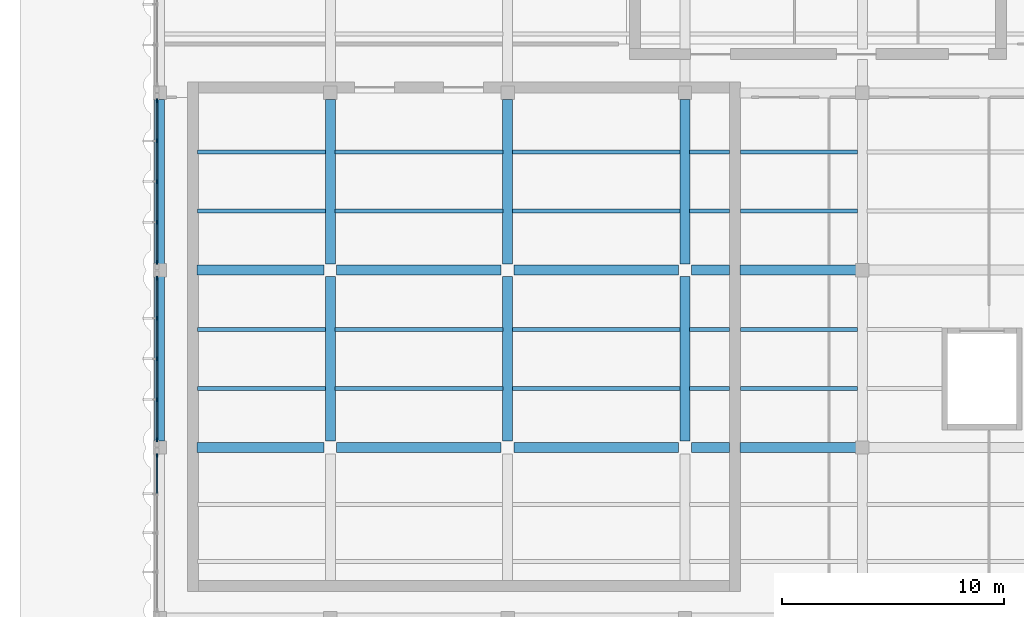
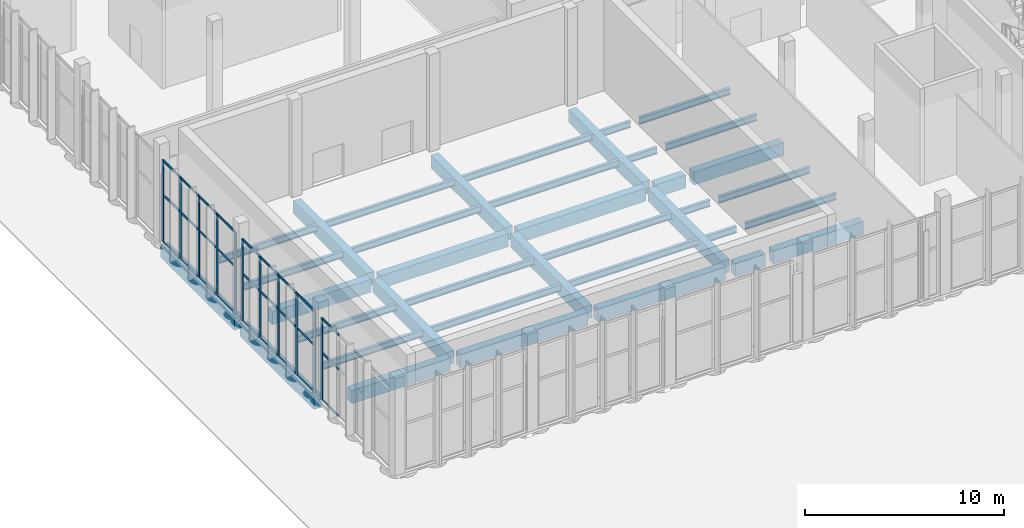
# One storey, part 36 of 155: 38 beams, 38 members, 3 elements without a shape of their own.
"""IFC4 building model written with IfcOpenShell, lengths in metres."""

from ifc_helpers import new_model, si_unit, direction, frame, origin, origin_2d, place, context, subcontext, project, spatial, rectangle, i_section, extrude, material, layer, layer_set, material_profile, profile_set, type_object, element, aggregate, save


model = new_model("IFC4")

# Units and contexts
model_context = context("Model", 3, precision=1e-05, world=origin(), true_north=direction((0.0, 1.0)))
body_context = subcontext(model_context, "Body", "Model", "MODEL_VIEW")
ifc_project = project(units=[si_unit("LENGTHUNIT", "METRE"), si_unit("AREAUNIT", "SQUARE_METRE"), si_unit("VOLUMEUNIT", "CUBIC_METRE"), si_unit("PLANEANGLEUNIT", "RADIAN"), si_unit("MASSUNIT", "GRAM", prefix="KILO")], contexts=[model_context])

# Site, building, storey
site_placement = place(None, origin())
site = spatial("IfcSite", under=ifc_project, at=site_placement, CompositionType="ELEMENT")
building_placement = place(site_placement, origin())
building = spatial("IfcBuilding", under=site, at=building_placement, Name="Lunette Opera House", CompositionType="ELEMENT")
storey_placement = place(building_placement, origin())
storey = spatial("IfcBuildingStorey", under=building, at=storey_placement, Name="L00", CompositionType="ELEMENT", Elevation=0.0)

# Curtain wall, members
ifc_material_1 = material(Name="Aluminium", Category="aluminium")
ifc_layer = layer(ifc_material_1, 0.179931640625)
ifc_layer_set = layer_set([ifc_layer], Name="Aluminium")
curtain_wall_type = type_object("IfcCurtainWallType", Name="SUN FACE CURTAIN WALL", PredefinedType="NOTDEFINED", material=ifc_layer_set)
curtain_wall_1_placement = place(storey_placement, origin())
curtain_wall_1 = element("IfcCurtainWall", 1, at=curtain_wall_1_placement, inside=storey, type_object=curtain_wall_type, Name="Sun Face Curtain Wall F10 L00", PredefinedType="NOTDEFINED")
ifc_material_2 = material(Name="Aluminium", Category="aluminium")
ifc_material_profile_1 = material_profile(ifc_material_2, rectangle(XDim=0.06005859375, YDim=0.179931640625, at=origin_2d()), Name="MULLION 60 X 180")
ifc_profile_set_1 = profile_set([ifc_material_profile_1], Name="Aluminium")
member_type_1 = type_object("IfcMemberType", Name="MULLION 60 X 180", PredefinedType="MULLION", material=ifc_profile_set_1)
member_1_placement = place(storey_placement, frame((8.181884765625, 87.639892578125, 0.0), z_axis=(0.0, 0.0, 1.0), x_axis=(1.0, 0.0, 0.0)))
member_1 = element("IfcMember", 2, at=member_1_placement, type_object=member_type_1, Name="RW-X2004 mullion 1", PredefinedType="MULLION", context=body_context, shape_type="SweptSolid", body=[
    extrude(rectangle(XDim=0.06005859375, YDim=0.179931640625, at=origin_2d()), origin(), (0.0, 0.0, 1.0), 5.050048828125),
])
member_2_placement = place(storey_placement, frame((8.181884765625, 85.8349609375, 0.0), z_axis=(0.0, 0.0, 1.0), x_axis=(1.0, 0.0, 0.0)))
member_2 = element("IfcMember", 3, at=member_2_placement, type_object=member_type_1, Name="RW-X2004 mullion 2", PredefinedType="MULLION", context=body_context, shape_type="SweptSolid", body=[
    extrude(rectangle(XDim=0.06005859375, YDim=0.179931640625, at=origin_2d()), origin(), (0.0, 0.0, 1.0), 5.050048828125),
])
member_3_placement = place(storey_placement, frame((8.181884765625, 84.0, 0.0), z_axis=(0.0, 0.0, 1.0), x_axis=(1.0, 0.0, 0.0)))
member_3 = element("IfcMember", 4, at=member_3_placement, type_object=member_type_1, Name="RW-X2004 mullion 3", PredefinedType="MULLION", context=body_context, shape_type="SweptSolid", body=[
    extrude(rectangle(XDim=0.06005859375, YDim=0.179931640625, at=origin_2d()), origin(), (0.0, 0.0, 1.0), 5.050048828125),
])
member_4_placement = place(storey_placement, frame((8.181884765625, 82.1650390625, 0.0), z_axis=(0.0, 0.0, 1.0), x_axis=(1.0, 0.0, 0.0)))
member_4 = element("IfcMember", 5, at=member_4_placement, type_object=member_type_1, Name="RW-X2004 mullion 4", PredefinedType="MULLION", context=body_context, shape_type="SweptSolid", body=[
    extrude(rectangle(XDim=0.06005859375, YDim=0.179931640625, at=origin_2d()), origin(), (0.0, 0.0, 1.0), 5.050048828125),
])
member_5_placement = place(storey_placement, frame((8.181884765625, 80.360107421875, 0.0), z_axis=(0.0, 0.0, 1.0), x_axis=(1.0, 0.0, 0.0)))
member_5 = element("IfcMember", 6, at=member_5_placement, type_object=member_type_1, Name="RW-X2004 mullion 5", PredefinedType="MULLION", context=body_context, shape_type="SweptSolid", body=[
    extrude(rectangle(XDim=0.06005859375, YDim=0.179931640625, at=origin_2d()), origin(), (0.0, 0.0, 1.0), 5.050048828125),
])

curtain_wall_2_placement = place(storey_placement, origin())
curtain_wall_2 = element("IfcCurtainWall", 7, at=curtain_wall_2_placement, inside=storey, type_object=curtain_wall_type, Name="Sun Face Curtain Wall F11 L00", PredefinedType="NOTDEFINED")
member_6_placement = place(storey_placement, frame((8.181884765625, 79.639892578125, 0.0), z_axis=(0.0, 0.0, 1.0), x_axis=(1.0, 0.0, 0.0)))
member_6 = element("IfcMember", 8, at=member_6_placement, type_object=member_type_1, Name="RW-X2005 mullion 1", PredefinedType="MULLION", context=body_context, shape_type="SweptSolid", body=[
    extrude(rectangle(XDim=0.06005859375, YDim=0.179931640625, at=origin_2d()), origin(), (0.0, 0.0, 1.0), 5.050048828125),
])
member_7_placement = place(storey_placement, frame((8.181884765625, 77.8349609375, 0.0), z_axis=(0.0, 0.0, 1.0), x_axis=(1.0, 0.0, 0.0)))
member_7 = element("IfcMember", 9, at=member_7_placement, type_object=member_type_1, Name="RW-X2005 mullion 2", PredefinedType="MULLION", context=body_context, shape_type="SweptSolid", body=[
    extrude(rectangle(XDim=0.06005859375, YDim=0.179931640625, at=origin_2d()), origin(), (0.0, 0.0, 1.0), 5.050048828125),
])
member_8_placement = place(storey_placement, frame((8.181884765625, 76.0, 0.0), z_axis=(0.0, 0.0, 1.0), x_axis=(1.0, 0.0, 0.0)))
member_8 = element("IfcMember", 10, at=member_8_placement, type_object=member_type_1, Name="RW-X2005 mullion 3", PredefinedType="MULLION", context=body_context, shape_type="SweptSolid", body=[
    extrude(rectangle(XDim=0.06005859375, YDim=0.179931640625, at=origin_2d()), origin(), (0.0, 0.0, 1.0), 5.050048828125),
])
member_9_placement = place(storey_placement, frame((8.181884765625, 74.1650390625, 0.0), z_axis=(0.0, 0.0, 1.0), x_axis=(1.0, 0.0, 0.0)))
member_9 = element("IfcMember", 11, at=member_9_placement, type_object=member_type_1, Name="RW-X2005 mullion 4", PredefinedType="MULLION", context=body_context, shape_type="SweptSolid", body=[
    extrude(rectangle(XDim=0.06005859375, YDim=0.179931640625, at=origin_2d()), origin(), (0.0, 0.0, 1.0), 5.050048828125),
])
member_10_placement = place(storey_placement, frame((8.181884765625, 72.360107421875, 0.0), z_axis=(0.0, 0.0, 1.0), x_axis=(1.0, 0.0, 0.0)))
member_10 = element("IfcMember", 12, at=member_10_placement, type_object=member_type_1, Name="RW-X2005 mullion 5", PredefinedType="MULLION", context=body_context, shape_type="SweptSolid", body=[
    extrude(rectangle(XDim=0.06005859375, YDim=0.179931640625, at=origin_2d()), origin(), (0.0, 0.0, 1.0), 5.050048828125),
])

# Curtain wall, member
curtain_wall_3_placement = place(storey_placement, origin())
curtain_wall_3 = element("IfcCurtainWall", 13, at=curtain_wall_3_placement, inside=storey, type_object=curtain_wall_type, Name="Sun Face Curtain Wall F12 L00", PredefinedType="NOTDEFINED")
member_11_placement = place(storey_placement, frame((8.181884765625, 71.639892578125, 0.0), z_axis=(0.0, 0.0, 1.0), x_axis=(1.0, 0.0, 0.0)))
member_11 = element("IfcMember", 14, at=member_11_placement, type_object=member_type_1, Name="RW-X2006 mullion 1", PredefinedType="MULLION", context=body_context, shape_type="SweptSolid", body=[
    extrude(rectangle(XDim=0.06005859375, YDim=0.179931640625, at=origin_2d()), origin(), (0.0, 0.0, 1.0), 5.050048828125),
])

# Beams
ifc_material_3 = material(Name="Concrete C35/45", Category="concrete")
ifc_material_profile_2 = material_profile(ifc_material_3, rectangle(XDim=0.449951171875, YDim=0.800048828125, at=origin_2d()), Name="RC BEAM 450X800")
ifc_profile_set_2 = profile_set([ifc_material_profile_2], Name="Concrete C35/45")
beam_type_1 = type_object("IfcBeamType", Name="RC BEAM 450X800", PredefinedType="BEAM", material=ifc_profile_set_2)
for number, where, z_axis, x_axis, name in (
    (15, (8.300048828125, 72.2900390625, -0.550048828125), (0.0, 1.0, 0.0), (-1.0, 0.0, 0.0), "beam-RW-L00-L00-GY01"),
    (16, (8.300048828125, 80.2900390625, -0.550048828125), (0.0, 1.0, 0.0), (-1.0, 0.0, 0.0), "beam-RW-L00-L00-GY02"),
    (17, (16.0, 72.2900390625, -0.550048828125), (0.0, 1.0, 0.0), (-1.0, 0.0, 0.0), "beam-RW-L00-L00-GY11"),
    (18, (16.0, 80.2900390625, -0.550048828125), (0.0, 1.0, 0.0), (-1.0, 0.0, 0.0), "beam-RW-L00-L00-GY12"),
    (19, (24.0, 72.2900390625, -0.550048828125), (0.0, 1.0, 0.0), (-1.0, 0.0, 0.0), "beam-RW-L00-L00-GY21"),
    (20, (24.0, 80.2900390625, -0.550048828125), (0.0, 1.0, 0.0), (-1.0, 0.0, 0.0), "beam-RW-L00-L00-GY22"),
    (21, (32.0, 72.2900390625, -0.550048828125), (0.0, 1.0, 0.0), (-1.0, 0.0, 0.0), "beam-RW-L00-L00-GY31"),
    (22, (32.0, 80.2900390625, -0.550048828125), (0.0, 1.0, 0.0), (-1.0, 0.0, 0.0), "beam-RW-L00-L00-GY32"),
):
    element("IfcBeam", number, at=place(storey_placement, frame(where, z_axis=z_axis, x_axis=x_axis)), inside=storey, type_object=beam_type_1, Name=name, PredefinedType="BEAM", context=body_context, shape_type="SweptSolid", body=[
        extrude(rectangle(XDim=0.449951171875, YDim=0.800048828125, at=origin_2d()), origin(), (0.0, 0.0, 1.0), 7.419921875),
    ])
beam_1_placement = place(storey_placement, frame((9.989990234375, 72.0, -0.550048828125), z_axis=(1.0, 0.0, 0.0), x_axis=(0.0, 1.0, 0.0)))
element("IfcBeam", 23, at=beam_1_placement, inside=storey, type_object=beam_type_1, Name="beam-RW-L00-L00-GX01", PredefinedType="BEAM", context=body_context, shape_type="SweptSolid", body=[
    extrude(rectangle(XDim=0.449951171875, YDim=0.800048828125, at=origin_2d()), origin(), (0.0, 0.0, 1.0), 5.719970703125),
])
for number, where, z_axis, x_axis, name in (
    (24, (16.2900390625, 72.0, -0.550048828125), (1.0, 0.0, 0.0), (0.0, 1.0, 0.0), "beam-RW-L00-L00-GX11"),
    (25, (24.2900390625, 72.0, -0.550048828125), (1.0, 0.0, 0.0), (0.0, 1.0, 0.0), "beam-RW-L00-L00-GX21"),
):
    element("IfcBeam", number, at=place(storey_placement, frame(where, z_axis=z_axis, x_axis=x_axis)), inside=storey, type_object=beam_type_1, Name=name, PredefinedType="BEAM", context=body_context, shape_type="SweptSolid", body=[
        extrude(rectangle(XDim=0.449951171875, YDim=0.800048828125, at=origin_2d()), origin(), (0.0, 0.0, 1.0), 7.419921875),
    ])
beam_2_placement = place(storey_placement, frame((32.2900390625, 72.0, -0.550048828125), z_axis=(1.0, 0.0, 0.0), x_axis=(0.0, 1.0, 0.0)))
element("IfcBeam", 26, at=beam_2_placement, inside=storey, type_object=beam_type_1, Name="beam-RW-L00-L00-GX31", PredefinedType="BEAM", context=body_context, shape_type="SweptSolid", body=[
    extrude(rectangle(XDim=0.449951171875, YDim=0.800048828125, at=origin_2d()), origin(), (0.0, 0.0, 1.0), 1.719970703125),
])
beam_3_placement = place(storey_placement, frame((34.489990234375, 72.0, -0.550048828125), z_axis=(1.0, 0.0, 0.0), x_axis=(0.0, 1.0, 0.0)))
element("IfcBeam", 27, at=beam_3_placement, inside=storey, type_object=beam_type_1, Name="beam-RW-L00-L00-GX31-1", PredefinedType="BEAM", context=body_context, shape_type="SweptSolid", body=[
    extrude(rectangle(XDim=0.449951171875, YDim=0.800048828125, at=origin_2d()), origin(), (0.0, 0.0, 1.0), 5.219970703125),
])
beam_4_placement = place(storey_placement, frame((9.989990234375, 80.0, -0.550048828125), z_axis=(1.0, 0.0, 0.0), x_axis=(0.0, 1.0, 0.0)))
element("IfcBeam", 28, at=beam_4_placement, inside=storey, type_object=beam_type_1, Name="beam-RW-L00-L00-GX02", PredefinedType="BEAM", context=body_context, shape_type="SweptSolid", body=[
    extrude(rectangle(XDim=0.449951171875, YDim=0.800048828125, at=origin_2d()), origin(), (0.0, 0.0, 1.0), 5.719970703125),
])
for number, where, z_axis, x_axis, name in (
    (29, (16.2900390625, 80.0, -0.550048828125), (1.0, 0.0, 0.0), (0.0, 1.0, 0.0), "beam-RW-L00-L00-GX12"),
    (30, (24.2900390625, 80.0, -0.550048828125), (1.0, 0.0, 0.0), (0.0, 1.0, 0.0), "beam-RW-L00-L00-GX22"),
):
    element("IfcBeam", number, at=place(storey_placement, frame(where, z_axis=z_axis, x_axis=x_axis)), inside=storey, type_object=beam_type_1, Name=name, PredefinedType="BEAM", context=body_context, shape_type="SweptSolid", body=[
        extrude(rectangle(XDim=0.449951171875, YDim=0.800048828125, at=origin_2d()), origin(), (0.0, 0.0, 1.0), 7.419921875),
    ])
beam_5_placement = place(storey_placement, frame((32.2900390625, 80.0, -0.550048828125), z_axis=(1.0, 0.0, 0.0), x_axis=(0.0, 1.0, 0.0)))
element("IfcBeam", 31, at=beam_5_placement, inside=storey, type_object=beam_type_1, Name="beam-RW-L00-L00-GX32", PredefinedType="BEAM", context=body_context, shape_type="SweptSolid", body=[
    extrude(rectangle(XDim=0.449951171875, YDim=0.800048828125, at=origin_2d()), origin(), (0.0, 0.0, 1.0), 1.719970703125),
])
beam_6_placement = place(storey_placement, frame((34.489990234375, 80.0, -0.550048828125), z_axis=(1.0, 0.0, 0.0), x_axis=(0.0, 1.0, 0.0)))
element("IfcBeam", 32, at=beam_6_placement, inside=storey, type_object=beam_type_1, Name="beam-RW-L00-L00-GX32-1", PredefinedType="BEAM", context=body_context, shape_type="SweptSolid", body=[
    extrude(rectangle(XDim=0.449951171875, YDim=0.800048828125, at=origin_2d()), origin(), (0.0, 0.0, 1.0), 5.219970703125),
])
ifc_material_4 = material(Name="Steel S355", Category="steel")
ifc_material_profile_3 = material_profile(ifc_material_4, i_section(OverallWidth=0.179931640625, OverallDepth=0.39990234375, WebThickness=0.008544921875, FlangeThickness=0.013427734375, FilletRadius=0.02099609375, at=origin_2d()), Name="IPE 400")
ifc_profile_set_3 = profile_set([ifc_material_profile_3], Name="Steel S355")
beam_type_2 = type_object("IfcBeamType", Name="STEEL BEAM IPE 400", PredefinedType="BEAM", material=ifc_profile_set_3)
for number, where, z_axis, x_axis, name in (
    (33, (10.0, 74.6669921875, -0.35009765625), (1.0, 0.0, 0.0), (0.0, 1.0, 0.0), "beam-RW-L00-L00-SX011-01"),
    (34, (10.0, 77.3330078125, -0.35009765625), (1.0, 0.0, 0.0), (0.0, 1.0, 0.0), "beam-RW-L00-L00-SX012-01"),
    (35, (10.0, 82.6669921875, -0.35009765625), (1.0, 0.0, 0.0), (0.0, 1.0, 0.0), "beam-RW-L00-L00-SX021-01"),
    (36, (10.0, 85.3330078125, -0.35009765625), (1.0, 0.0, 0.0), (0.0, 1.0, 0.0), "beam-RW-L00-L00-SX022-01"),
):
    element("IfcBeam", number, at=place(storey_placement, frame(where, z_axis=z_axis, x_axis=x_axis)), inside=storey, type_object=beam_type_2, Name=name, PredefinedType="BEAM", context=body_context, shape_type="SweptSolid", body=[
        extrude(i_section(OverallWidth=0.179931640625, OverallDepth=0.39990234375, WebThickness=0.008544921875, FlangeThickness=0.013427734375, FilletRadius=0.02099609375, at=origin_2d()), origin(), (0.0, 0.0, 1.0), 5.784912109375),
    ])
for number, where, z_axis, x_axis, name in (
    (37, (16.215087890625, 74.6669921875, -0.35009765625), (1.0, 0.0, 0.0), (0.0, 1.0, 0.0), "beam-RW-L00-L00-SX111"),
    (38, (16.215087890625, 77.3330078125, -0.35009765625), (1.0, 0.0, 0.0), (0.0, 1.0, 0.0), "beam-RW-L00-L00-SX112"),
    (39, (16.215087890625, 82.6669921875, -0.35009765625), (1.0, 0.0, 0.0), (0.0, 1.0, 0.0), "beam-RW-L00-L00-SX121"),
    (40, (16.215087890625, 85.3330078125, -0.35009765625), (1.0, 0.0, 0.0), (0.0, 1.0, 0.0), "beam-RW-L00-L00-SX122"),
    (41, (24.215087890625, 74.6669921875, -0.35009765625), (1.0, 0.0, 0.0), (0.0, 1.0, 0.0), "beam-RW-L00-L00-SX211"),
    (42, (24.215087890625, 77.3330078125, -0.35009765625), (1.0, 0.0, 0.0), (0.0, 1.0, 0.0), "beam-RW-L00-L00-SX212"),
    (43, (24.215087890625, 82.6669921875, -0.35009765625), (1.0, 0.0, 0.0), (0.0, 1.0, 0.0), "beam-RW-L00-L00-SX221"),
    (44, (24.215087890625, 85.3330078125, -0.35009765625), (1.0, 0.0, 0.0), (0.0, 1.0, 0.0), "beam-RW-L00-L00-SX222"),
):
    element("IfcBeam", number, at=place(storey_placement, frame(where, z_axis=z_axis, x_axis=x_axis)), inside=storey, type_object=beam_type_2, Name=name, PredefinedType="BEAM", context=body_context, shape_type="SweptSolid", body=[
        extrude(i_section(OverallWidth=0.179931640625, OverallDepth=0.39990234375, WebThickness=0.008544921875, FlangeThickness=0.013427734375, FilletRadius=0.02099609375, at=origin_2d()), origin(), (0.0, 0.0, 1.0), 7.56982421875),
    ])
beam_7_placement = place(storey_placement, frame((32.215087890625, 74.6669921875, -0.35009765625), z_axis=(1.0, 0.0, 0.0), x_axis=(0.0, 1.0, 0.0)))
element("IfcBeam", 45, at=beam_7_placement, inside=storey, type_object=beam_type_2, Name="beam-RW-L00-L00-SX311", PredefinedType="BEAM", context=body_context, shape_type="SweptSolid", body=[
    extrude(i_section(OverallWidth=0.179931640625, OverallDepth=0.39990234375, WebThickness=0.008544921875, FlangeThickness=0.013427734375, FilletRadius=0.02099609375, at=origin_2d()), origin(), (0.0, 0.0, 1.0), 1.784912109375),
])
beam_8_placement = place(storey_placement, frame((34.5, 74.6669921875, -0.35009765625), z_axis=(1.0, 0.0, 0.0), x_axis=(0.0, 1.0, 0.0)))
element("IfcBeam", 46, at=beam_8_placement, inside=storey, type_object=beam_type_2, Name="beam-RW-L00-L00-SX311-01", PredefinedType="BEAM", context=body_context, shape_type="SweptSolid", body=[
    extrude(i_section(OverallWidth=0.179931640625, OverallDepth=0.39990234375, WebThickness=0.008544921875, FlangeThickness=0.013427734375, FilletRadius=0.02099609375, at=origin_2d()), origin(), (0.0, 0.0, 1.0), 5.284912109375),
])
beam_9_placement = place(storey_placement, frame((32.215087890625, 77.3330078125, -0.35009765625), z_axis=(1.0, 0.0, 0.0), x_axis=(0.0, 1.0, 0.0)))
element("IfcBeam", 47, at=beam_9_placement, inside=storey, type_object=beam_type_2, Name="beam-RW-L00-L00-SX312", PredefinedType="BEAM", context=body_context, shape_type="SweptSolid", body=[
    extrude(i_section(OverallWidth=0.179931640625, OverallDepth=0.39990234375, WebThickness=0.008544921875, FlangeThickness=0.013427734375, FilletRadius=0.02099609375, at=origin_2d()), origin(), (0.0, 0.0, 1.0), 1.784912109375),
])
beam_10_placement = place(storey_placement, frame((34.5, 77.3330078125, -0.35009765625), z_axis=(1.0, 0.0, 0.0), x_axis=(0.0, 1.0, 0.0)))
element("IfcBeam", 48, at=beam_10_placement, inside=storey, type_object=beam_type_2, Name="beam-RW-L00-L00-SX312-01", PredefinedType="BEAM", context=body_context, shape_type="SweptSolid", body=[
    extrude(i_section(OverallWidth=0.179931640625, OverallDepth=0.39990234375, WebThickness=0.008544921875, FlangeThickness=0.013427734375, FilletRadius=0.02099609375, at=origin_2d()), origin(), (0.0, 0.0, 1.0), 5.284912109375),
])
beam_11_placement = place(storey_placement, frame((32.215087890625, 82.6669921875, -0.35009765625), z_axis=(1.0, 0.0, 0.0), x_axis=(0.0, 1.0, 0.0)))
element("IfcBeam", 49, at=beam_11_placement, inside=storey, type_object=beam_type_2, Name="beam-RW-L00-L00-SX321", PredefinedType="BEAM", context=body_context, shape_type="SweptSolid", body=[
    extrude(i_section(OverallWidth=0.179931640625, OverallDepth=0.39990234375, WebThickness=0.008544921875, FlangeThickness=0.013427734375, FilletRadius=0.02099609375, at=origin_2d()), origin(), (0.0, 0.0, 1.0), 1.784912109375),
])
beam_12_placement = place(storey_placement, frame((34.5, 82.6669921875, -0.35009765625), z_axis=(1.0, 0.0, 0.0), x_axis=(0.0, 1.0, 0.0)))
element("IfcBeam", 50, at=beam_12_placement, inside=storey, type_object=beam_type_2, Name="beam-RW-L00-L00-SX321-01", PredefinedType="BEAM", context=body_context, shape_type="SweptSolid", body=[
    extrude(i_section(OverallWidth=0.179931640625, OverallDepth=0.39990234375, WebThickness=0.008544921875, FlangeThickness=0.013427734375, FilletRadius=0.02099609375, at=origin_2d()), origin(), (0.0, 0.0, 1.0), 5.284912109375),
])
beam_13_placement = place(storey_placement, frame((32.215087890625, 85.3330078125, -0.35009765625), z_axis=(1.0, 0.0, 0.0), x_axis=(0.0, 1.0, 0.0)))
element("IfcBeam", 51, at=beam_13_placement, inside=storey, type_object=beam_type_2, Name="beam-RW-L00-L00-SX322", PredefinedType="BEAM", context=body_context, shape_type="SweptSolid", body=[
    extrude(i_section(OverallWidth=0.179931640625, OverallDepth=0.39990234375, WebThickness=0.008544921875, FlangeThickness=0.013427734375, FilletRadius=0.02099609375, at=origin_2d()), origin(), (0.0, 0.0, 1.0), 1.784912109375),
])
beam_14_placement = place(storey_placement, frame((34.5, 85.3330078125, -0.35009765625), z_axis=(1.0, 0.0, 0.0), x_axis=(0.0, 1.0, 0.0)))
element("IfcBeam", 52, at=beam_14_placement, inside=storey, type_object=beam_type_2, Name="beam-RW-L00-L00-SX322-01", PredefinedType="BEAM", context=body_context, shape_type="SweptSolid", body=[
    extrude(i_section(OverallWidth=0.179931640625, OverallDepth=0.39990234375, WebThickness=0.008544921875, FlangeThickness=0.013427734375, FilletRadius=0.02099609375, at=origin_2d()), origin(), (0.0, 0.0, 1.0), 5.284912109375),
])

# Member
ifc_material_5 = material(Name="Aluminium", Category="aluminium")
ifc_material_profile_4 = material_profile(ifc_material_5, rectangle(XDim=0.06005859375, YDim=0.139892578125, at=origin_2d()), Name="TRANSOM 60 X 140")
ifc_profile_set_4 = profile_set([ifc_material_profile_4], Name="Aluminium")
member_type_2 = type_object("IfcMemberType", Name="TRANSOM 60 X 140", PredefinedType="USERDEFINED", material=ifc_profile_set_4)
member_12_placement = place(storey_placement, frame((8.181884765625, 87.610107421875, 0.030029296875), z_axis=(0.0, -1.0, 0.0), x_axis=(1.0, 0.0, 0.0)))
member_12 = element("IfcMember", 53, at=member_12_placement, type_object=member_type_2, Name="RW-X2004 transom 1.1", ObjectType="TRANSOM", PredefinedType="USERDEFINED", context=body_context, shape_type="SweptSolid", body=[
    extrude(rectangle(XDim=0.06005859375, YDim=0.139892578125, at=origin_2d()), origin(), (0.0, 0.0, 1.0), 1.7451171875),
])

member_13_placement = place(storey_placement, frame((8.181884765625, 87.610107421875, 2.925048828125), z_axis=(0.0, -1.0, 0.0), x_axis=(1.0, 0.0, 0.0)))
member_13 = element("IfcMember", 54, at=member_13_placement, type_object=member_type_2, Name="RW-X2004 transom 1.2", ObjectType="TRANSOM", PredefinedType="USERDEFINED", context=body_context, shape_type="SweptSolid", body=[
    extrude(rectangle(XDim=0.06005859375, YDim=0.139892578125, at=origin_2d()), origin(), (0.0, 0.0, 1.0), 1.7451171875),
])

member_14_placement = place(storey_placement, frame((8.181884765625, 87.610107421875, 5.02001953125), z_axis=(0.0, -1.0, 0.0), x_axis=(1.0, 0.0, 0.0)))
member_14 = element("IfcMember", 55, at=member_14_placement, type_object=member_type_2, Name="RW-X2004 transom 1.3", ObjectType="TRANSOM", PredefinedType="USERDEFINED", context=body_context, shape_type="SweptSolid", body=[
    extrude(rectangle(XDim=0.06005859375, YDim=0.139892578125, at=origin_2d()), origin(), (0.0, 0.0, 1.0), 1.7451171875),
])

member_15_placement = place(storey_placement, frame((8.181884765625, 85.804931640625, 0.030029296875), z_axis=(0.0, -1.0, 0.0), x_axis=(1.0, 0.0, 0.0)))
member_15 = element("IfcMember", 56, at=member_15_placement, type_object=member_type_2, Name="RW-X2004 transom 2.1", ObjectType="TRANSOM", PredefinedType="USERDEFINED", context=body_context, shape_type="SweptSolid", body=[
    extrude(rectangle(XDim=0.06005859375, YDim=0.139892578125, at=origin_2d()), origin(), (0.0, 0.0, 1.0), 1.77490234375),
])

member_16_placement = place(storey_placement, frame((8.181884765625, 85.804931640625, 2.925048828125), z_axis=(0.0, -1.0, 0.0), x_axis=(1.0, 0.0, 0.0)))
member_16 = element("IfcMember", 57, at=member_16_placement, type_object=member_type_2, Name="RW-X2004 transom 2.2", ObjectType="TRANSOM", PredefinedType="USERDEFINED", context=body_context, shape_type="SweptSolid", body=[
    extrude(rectangle(XDim=0.06005859375, YDim=0.139892578125, at=origin_2d()), origin(), (0.0, 0.0, 1.0), 1.77490234375),
])

member_17_placement = place(storey_placement, frame((8.181884765625, 85.804931640625, 5.02001953125), z_axis=(0.0, -1.0, 0.0), x_axis=(1.0, 0.0, 0.0)))
member_17 = element("IfcMember", 58, at=member_17_placement, type_object=member_type_2, Name="RW-X2004 transom 2.3", ObjectType="TRANSOM", PredefinedType="USERDEFINED", context=body_context, shape_type="SweptSolid", body=[
    extrude(rectangle(XDim=0.06005859375, YDim=0.139892578125, at=origin_2d()), origin(), (0.0, 0.0, 1.0), 1.77490234375),
])

member_18_placement = place(storey_placement, frame((8.181884765625, 83.969970703125, 0.030029296875), z_axis=(0.0, -1.0, 0.0), x_axis=(1.0, 0.0, 0.0)))
member_18 = element("IfcMember", 59, at=member_18_placement, type_object=member_type_2, Name="RW-X2004 transom 3.1", ObjectType="TRANSOM", PredefinedType="USERDEFINED", context=body_context, shape_type="SweptSolid", body=[
    extrude(rectangle(XDim=0.06005859375, YDim=0.139892578125, at=origin_2d()), origin(), (0.0, 0.0, 1.0), 1.77490234375),
])

member_19_placement = place(storey_placement, frame((8.181884765625, 83.969970703125, 2.925048828125), z_axis=(0.0, -1.0, 0.0), x_axis=(1.0, 0.0, 0.0)))
member_19 = element("IfcMember", 60, at=member_19_placement, type_object=member_type_2, Name="RW-X2004 transom 3.2", ObjectType="TRANSOM", PredefinedType="USERDEFINED", context=body_context, shape_type="SweptSolid", body=[
    extrude(rectangle(XDim=0.06005859375, YDim=0.139892578125, at=origin_2d()), origin(), (0.0, 0.0, 1.0), 1.77490234375),
])

member_20_placement = place(storey_placement, frame((8.181884765625, 83.969970703125, 5.02001953125), z_axis=(0.0, -1.0, 0.0), x_axis=(1.0, 0.0, 0.0)))
member_20 = element("IfcMember", 61, at=member_20_placement, type_object=member_type_2, Name="RW-X2004 transom 3.3", ObjectType="TRANSOM", PredefinedType="USERDEFINED", context=body_context, shape_type="SweptSolid", body=[
    extrude(rectangle(XDim=0.06005859375, YDim=0.139892578125, at=origin_2d()), origin(), (0.0, 0.0, 1.0), 1.77490234375),
])

member_21_placement = place(storey_placement, frame((8.181884765625, 82.135009765625, 0.030029296875), z_axis=(0.0, -1.0, 0.0), x_axis=(1.0, 0.0, 0.0)))
member_21 = element("IfcMember", 62, at=member_21_placement, type_object=member_type_2, Name="RW-X2004 transom 4.1", ObjectType="TRANSOM", PredefinedType="USERDEFINED", context=body_context, shape_type="SweptSolid", body=[
    extrude(rectangle(XDim=0.06005859375, YDim=0.139892578125, at=origin_2d()), origin(), (0.0, 0.0, 1.0), 1.7451171875),
])

member_22_placement = place(storey_placement, frame((8.181884765625, 82.135009765625, 2.925048828125), z_axis=(0.0, -1.0, 0.0), x_axis=(1.0, 0.0, 0.0)))
member_22 = element("IfcMember", 63, at=member_22_placement, type_object=member_type_2, Name="RW-X2004 transom 4.2", ObjectType="TRANSOM", PredefinedType="USERDEFINED", context=body_context, shape_type="SweptSolid", body=[
    extrude(rectangle(XDim=0.06005859375, YDim=0.139892578125, at=origin_2d()), origin(), (0.0, 0.0, 1.0), 1.7451171875),
])

member_23_placement = place(storey_placement, frame((8.181884765625, 82.135009765625, 5.02001953125), z_axis=(0.0, -1.0, 0.0), x_axis=(1.0, 0.0, 0.0)))
member_23 = element("IfcMember", 64, at=member_23_placement, type_object=member_type_2, Name="RW-X2004 transom 4.3", ObjectType="TRANSOM", PredefinedType="USERDEFINED", context=body_context, shape_type="SweptSolid", body=[
    extrude(rectangle(XDim=0.06005859375, YDim=0.139892578125, at=origin_2d()), origin(), (0.0, 0.0, 1.0), 1.7451171875),
])

aggregate(curtain_wall_1, [member_1, member_2, member_3, member_4, member_5, member_12, member_13, member_14, member_15, member_16, member_17, member_18, member_19, member_20, member_21, member_22, member_23])

member_24_placement = place(storey_placement, frame((8.181884765625, 79.610107421875, 0.030029296875), z_axis=(0.0, -1.0, 0.0), x_axis=(1.0, 0.0, 0.0)))
member_24 = element("IfcMember", 65, at=member_24_placement, type_object=member_type_2, Name="RW-X2005 transom 1.1", ObjectType="TRANSOM", PredefinedType="USERDEFINED", context=body_context, shape_type="SweptSolid", body=[
    extrude(rectangle(XDim=0.06005859375, YDim=0.139892578125, at=origin_2d()), origin(), (0.0, 0.0, 1.0), 1.7451171875),
])

member_25_placement = place(storey_placement, frame((8.181884765625, 79.610107421875, 2.925048828125), z_axis=(0.0, -1.0, 0.0), x_axis=(1.0, 0.0, 0.0)))
member_25 = element("IfcMember", 66, at=member_25_placement, type_object=member_type_2, Name="RW-X2005 transom 1.2", ObjectType="TRANSOM", PredefinedType="USERDEFINED", context=body_context, shape_type="SweptSolid", body=[
    extrude(rectangle(XDim=0.06005859375, YDim=0.139892578125, at=origin_2d()), origin(), (0.0, 0.0, 1.0), 1.7451171875),
])

member_26_placement = place(storey_placement, frame((8.181884765625, 79.610107421875, 5.02001953125), z_axis=(0.0, -1.0, 0.0), x_axis=(1.0, 0.0, 0.0)))
member_26 = element("IfcMember", 67, at=member_26_placement, type_object=member_type_2, Name="RW-X2005 transom 1.3", ObjectType="TRANSOM", PredefinedType="USERDEFINED", context=body_context, shape_type="SweptSolid", body=[
    extrude(rectangle(XDim=0.06005859375, YDim=0.139892578125, at=origin_2d()), origin(), (0.0, 0.0, 1.0), 1.7451171875),
])

member_27_placement = place(storey_placement, frame((8.181884765625, 77.804931640625, 0.030029296875), z_axis=(0.0, -1.0, 0.0), x_axis=(1.0, 0.0, 0.0)))
member_27 = element("IfcMember", 68, at=member_27_placement, type_object=member_type_2, Name="RW-X2005 transom 2.1", ObjectType="TRANSOM", PredefinedType="USERDEFINED", context=body_context, shape_type="SweptSolid", body=[
    extrude(rectangle(XDim=0.06005859375, YDim=0.139892578125, at=origin_2d()), origin(), (0.0, 0.0, 1.0), 1.77490234375),
])

member_28_placement = place(storey_placement, frame((8.181884765625, 77.804931640625, 2.925048828125), z_axis=(0.0, -1.0, 0.0), x_axis=(1.0, 0.0, 0.0)))
member_28 = element("IfcMember", 69, at=member_28_placement, type_object=member_type_2, Name="RW-X2005 transom 2.2", ObjectType="TRANSOM", PredefinedType="USERDEFINED", context=body_context, shape_type="SweptSolid", body=[
    extrude(rectangle(XDim=0.06005859375, YDim=0.139892578125, at=origin_2d()), origin(), (0.0, 0.0, 1.0), 1.77490234375),
])

member_29_placement = place(storey_placement, frame((8.181884765625, 77.804931640625, 5.02001953125), z_axis=(0.0, -1.0, 0.0), x_axis=(1.0, 0.0, 0.0)))
member_29 = element("IfcMember", 70, at=member_29_placement, type_object=member_type_2, Name="RW-X2005 transom 2.3", ObjectType="TRANSOM", PredefinedType="USERDEFINED", context=body_context, shape_type="SweptSolid", body=[
    extrude(rectangle(XDim=0.06005859375, YDim=0.139892578125, at=origin_2d()), origin(), (0.0, 0.0, 1.0), 1.77490234375),
])

member_30_placement = place(storey_placement, frame((8.181884765625, 75.969970703125, 0.030029296875), z_axis=(0.0, -1.0, 0.0), x_axis=(1.0, 0.0, 0.0)))
member_30 = element("IfcMember", 71, at=member_30_placement, type_object=member_type_2, Name="RW-X2005 transom 3.1", ObjectType="TRANSOM", PredefinedType="USERDEFINED", context=body_context, shape_type="SweptSolid", body=[
    extrude(rectangle(XDim=0.06005859375, YDim=0.139892578125, at=origin_2d()), origin(), (0.0, 0.0, 1.0), 1.77490234375),
])

member_31_placement = place(storey_placement, frame((8.181884765625, 75.969970703125, 2.925048828125), z_axis=(0.0, -1.0, 0.0), x_axis=(1.0, 0.0, 0.0)))
member_31 = element("IfcMember", 72, at=member_31_placement, type_object=member_type_2, Name="RW-X2005 transom 3.2", ObjectType="TRANSOM", PredefinedType="USERDEFINED", context=body_context, shape_type="SweptSolid", body=[
    extrude(rectangle(XDim=0.06005859375, YDim=0.139892578125, at=origin_2d()), origin(), (0.0, 0.0, 1.0), 1.77490234375),
])

member_32_placement = place(storey_placement, frame((8.181884765625, 75.969970703125, 5.02001953125), z_axis=(0.0, -1.0, 0.0), x_axis=(1.0, 0.0, 0.0)))
member_32 = element("IfcMember", 73, at=member_32_placement, type_object=member_type_2, Name="RW-X2005 transom 3.3", ObjectType="TRANSOM", PredefinedType="USERDEFINED", context=body_context, shape_type="SweptSolid", body=[
    extrude(rectangle(XDim=0.06005859375, YDim=0.139892578125, at=origin_2d()), origin(), (0.0, 0.0, 1.0), 1.77490234375),
])

member_33_placement = place(storey_placement, frame((8.181884765625, 74.135009765625, 0.030029296875), z_axis=(0.0, -1.0, 0.0), x_axis=(1.0, 0.0, 0.0)))
member_33 = element("IfcMember", 74, at=member_33_placement, type_object=member_type_2, Name="RW-X2005 transom 4.1", ObjectType="TRANSOM", PredefinedType="USERDEFINED", context=body_context, shape_type="SweptSolid", body=[
    extrude(rectangle(XDim=0.06005859375, YDim=0.139892578125, at=origin_2d()), origin(), (0.0, 0.0, 1.0), 1.7451171875),
])

member_34_placement = place(storey_placement, frame((8.181884765625, 74.135009765625, 2.925048828125), z_axis=(0.0, -1.0, 0.0), x_axis=(1.0, 0.0, 0.0)))
member_34 = element("IfcMember", 75, at=member_34_placement, type_object=member_type_2, Name="RW-X2005 transom 4.2", ObjectType="TRANSOM", PredefinedType="USERDEFINED", context=body_context, shape_type="SweptSolid", body=[
    extrude(rectangle(XDim=0.06005859375, YDim=0.139892578125, at=origin_2d()), origin(), (0.0, 0.0, 1.0), 1.7451171875),
])

member_35_placement = place(storey_placement, frame((8.181884765625, 74.135009765625, 5.02001953125), z_axis=(0.0, -1.0, 0.0), x_axis=(1.0, 0.0, 0.0)))
member_35 = element("IfcMember", 76, at=member_35_placement, type_object=member_type_2, Name="RW-X2005 transom 4.3", ObjectType="TRANSOM", PredefinedType="USERDEFINED", context=body_context, shape_type="SweptSolid", body=[
    extrude(rectangle(XDim=0.06005859375, YDim=0.139892578125, at=origin_2d()), origin(), (0.0, 0.0, 1.0), 1.7451171875),
])

aggregate(curtain_wall_2, [member_6, member_7, member_8, member_9, member_10, member_24, member_25, member_26, member_27, member_28, member_29, member_30, member_31, member_32, member_33, member_34, member_35])

member_36_placement = place(storey_placement, frame((8.181884765625, 71.610107421875, 0.030029296875), z_axis=(0.0, -1.0, 0.0), x_axis=(1.0, 0.0, 0.0)))
member_36 = element("IfcMember", 77, at=member_36_placement, type_object=member_type_2, Name="RW-X2006 transom 1.1", ObjectType="TRANSOM", PredefinedType="USERDEFINED", context=body_context, shape_type="SweptSolid", body=[
    extrude(rectangle(XDim=0.06005859375, YDim=0.139892578125, at=origin_2d()), origin(), (0.0, 0.0, 1.0), 1.670166015625),
])

member_37_placement = place(storey_placement, frame((8.181884765625, 71.610107421875, 2.925048828125), z_axis=(0.0, -1.0, 0.0), x_axis=(1.0, 0.0, 0.0)))
member_37 = element("IfcMember", 78, at=member_37_placement, type_object=member_type_2, Name="RW-X2006 transom 1.2", ObjectType="TRANSOM", PredefinedType="USERDEFINED", context=body_context, shape_type="SweptSolid", body=[
    extrude(rectangle(XDim=0.06005859375, YDim=0.139892578125, at=origin_2d()), origin(), (0.0, 0.0, 1.0), 1.670166015625),
])

member_38_placement = place(storey_placement, frame((8.181884765625, 71.610107421875, 5.02001953125), z_axis=(0.0, -1.0, 0.0), x_axis=(1.0, 0.0, 0.0)))
member_38 = element("IfcMember", 79, at=member_38_placement, type_object=member_type_2, Name="RW-X2006 transom 1.3", ObjectType="TRANSOM", PredefinedType="USERDEFINED", context=body_context, shape_type="SweptSolid", body=[
    extrude(rectangle(XDim=0.06005859375, YDim=0.139892578125, at=origin_2d()), origin(), (0.0, 0.0, 1.0), 1.670166015625),
])

aggregate(curtain_wall_3, [member_11, member_36, member_37, member_38])

save(model, "model.ifc")
